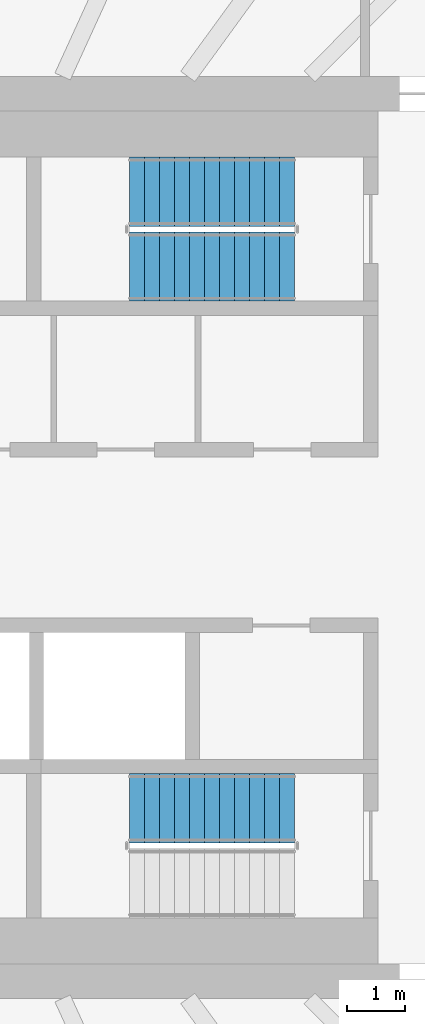
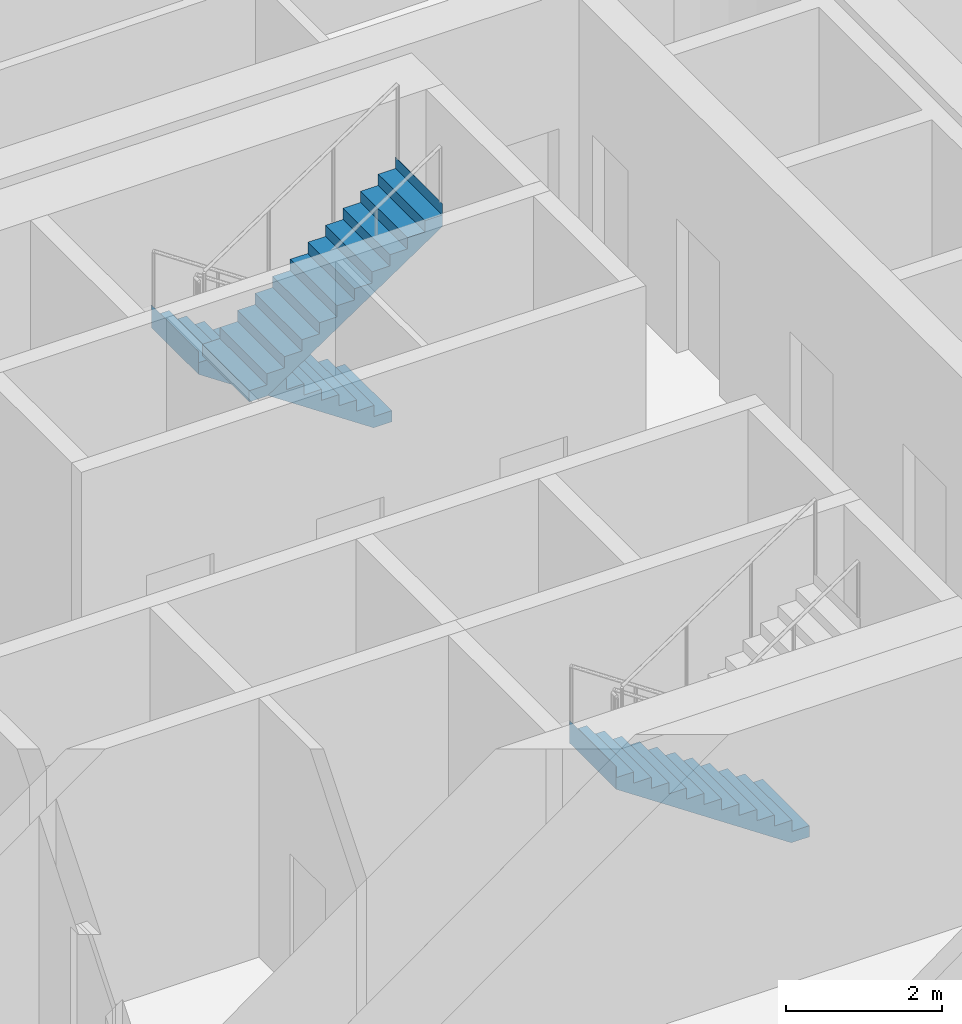
# One storey, part 18 of 24: 3 stair flights, 2 elements without a shape of their own.
"""IFC4 building model written with IfcOpenShell, lengths in metres."""

from ifc_helpers import new_model, si_unit, direction, frame, origin, place, context, subcontext, project, spatial, triangles, material, type_object, element, aggregate, save


model = new_model("IFC4")

# Units and contexts
model_context = context("Model", 3, precision=1e-05, world=origin(), true_north=direction((0.0, 1.0)))
body_context = subcontext(model_context, "Body", "Model", "MODEL_VIEW")
ifc_project = project(units=[si_unit("LENGTHUNIT", "METRE"), si_unit("AREAUNIT", "SQUARE_METRE"), si_unit("VOLUMEUNIT", "CUBIC_METRE"), si_unit("PLANEANGLEUNIT", "RADIAN"), si_unit("MASSUNIT", "GRAM", prefix="KILO")], contexts=[model_context])

# Site, building, storey
site_placement = place(None, origin())
site = spatial("IfcSite", under=ifc_project, at=site_placement, CompositionType="ELEMENT")
building_placement = place(site_placement, origin())
building = spatial("IfcBuilding", under=site, at=building_placement, Name="Sahrelin Media Tower", CompositionType="ELEMENT")
storey_placement = place(building_placement, frame((0.0, 0.0, 71.39990234375)))
storey = spatial("IfcBuildingStorey", under=building, at=storey_placement, Name="L12", CompositionType="ELEMENT", Elevation=71.39990234375)

# Stair, stair flights
ifc_material = material(Name="Concrete C40/50", Category="concrete")
stair_type = type_object("IfcStairType", Name="Exit stair 1200", PredefinedType="HALF_TURN_STAIR", material=ifc_material)
placement = place(storey_placement, origin())
stair_1 = element("IfcStair", 1, at=placement, inside=storey, type_object=stair_type, Name="L12 Exit stair ST3", PredefinedType="HALF_TURN_STAIR")
stair_flight_type = type_object("IfcStairFlightType", Name="Stair flight 1200", PredefinedType="STRAIGHT", material=ifc_material)
stair_flight_1_placement = place(storey_placement, frame((7.675048828125, 6.0, 0.0), z_axis=(0.0, 0.0, 1.0), x_axis=(-1.0, 0.0, 0.0)))
stair_flight_1 = element("IfcStairFlight", 2, at=stair_flight_1_placement, type_object=stair_flight_type, Name="ST3 flight 1", NumberOfRisers=12, NumberOfTreads=11, PredefinedType="STRAIGHT", RiserHeight=0.175, TreadLength=0.26, context=body_context, shape_type="Tessellation", body=[
    triangles([(0.2685546875, 0.60009765625, 0.0), (0.2685546875, 0.300048828125, 0.0), (0.2685546875, 0.0, 0.0), (0.2685546875, -0.300048828125, 0.0), (0.2685546875, -0.60009765625, 0.0), (2.860107421875, 0.60009765625, 1.744384765625), (2.860107421875, 0.300048828125, 1.744384765625), (2.860107421875, 0.0, 1.744384765625), (2.860107421875, -0.300048828125, 1.744384765625), (2.860107421875, -0.60009765625, 1.744384765625), (2.860107421875, 0.60009765625, 2.10009765625), (2.860107421875, 0.300048828125, 2.10009765625), (2.860107421875, 0.0, 2.10009765625), (2.860107421875, -0.300048828125, 2.10009765625), (2.860107421875, -0.60009765625, 2.10009765625), (2.85791015625, 0.60009765625, 2.10009765625), (2.85791015625, 0.300048828125, 2.10009765625), (2.85791015625, 0.0, 2.10009765625), (2.85791015625, -0.300048828125, 2.10009765625), (2.85791015625, -0.60009765625, 2.10009765625), (2.85791015625, 0.60009765625, 1.925048828125), (2.85791015625, 0.300048828125, 1.925048828125), (2.85791015625, 0.0, 1.925048828125), (2.85791015625, -0.300048828125, 1.925048828125), (2.85791015625, -0.60009765625, 1.925048828125), (2.60009765625, 0.60009765625, 1.925048828125), (2.60009765625, 0.300048828125, 1.925048828125), (2.60009765625, 0.0, 1.925048828125), (2.60009765625, -0.300048828125, 1.925048828125), (2.60009765625, -0.60009765625, 1.925048828125), (2.60009765625, 0.60009765625, 1.75), (2.60009765625, 0.300048828125, 1.75), (2.60009765625, 0.0, 1.75), (2.60009765625, -0.300048828125, 1.75), (2.60009765625, -0.60009765625, 1.75), (2.340087890625, 0.60009765625, 1.75), (2.340087890625, 0.300048828125, 1.75), (2.340087890625, 0.0, 1.75), (2.340087890625, -0.300048828125, 1.75), (2.340087890625, -0.60009765625, 1.75), (2.340087890625, 0.60009765625, 1.574951171875), (2.340087890625, 0.300048828125, 1.574951171875), (2.340087890625, 0.0, 1.574951171875), (2.340087890625, -0.300048828125, 1.574951171875), (2.340087890625, -0.60009765625, 1.574951171875), (2.080078125, 0.60009765625, 1.574951171875), (2.080078125, 0.300048828125, 1.574951171875), (2.080078125, 0.0, 1.574951171875), (2.080078125, -0.300048828125, 1.574951171875), (2.080078125, -0.60009765625, 1.574951171875), (2.080078125, 0.60009765625, 1.39990234375), (2.080078125, 0.300048828125, 1.39990234375), (2.080078125, 0.0, 1.39990234375), (2.080078125, -0.300048828125, 1.39990234375), (2.080078125, -0.60009765625, 1.39990234375), (1.820068359375, 0.60009765625, 1.39990234375), (1.820068359375, 0.300048828125, 1.39990234375), (1.820068359375, 0.0, 1.39990234375), (1.820068359375, -0.300048828125, 1.39990234375), (1.820068359375, -0.60009765625, 1.39990234375), (1.820068359375, 0.60009765625, 1.22509765625), (1.820068359375, 0.300048828125, 1.22509765625), (1.820068359375, 0.0, 1.22509765625), (1.820068359375, -0.300048828125, 1.22509765625), (1.820068359375, -0.60009765625, 1.22509765625), (1.56005859375, 0.60009765625, 1.22509765625), (1.56005859375, 0.300048828125, 1.22509765625), (1.56005859375, 0.0, 1.22509765625), (1.56005859375, -0.300048828125, 1.22509765625), (1.56005859375, -0.60009765625, 1.22509765625), (1.56005859375, 0.60009765625, 1.050048828125), (1.56005859375, 0.300048828125, 1.050048828125), (1.56005859375, 0.0, 1.050048828125), (1.56005859375, -0.300048828125, 1.050048828125), (1.56005859375, -0.60009765625, 1.050048828125), (1.300048828125, 0.60009765625, 1.050048828125), (1.300048828125, 0.300048828125, 1.050048828125), (1.300048828125, 0.0, 1.050048828125), (1.300048828125, -0.300048828125, 1.050048828125), (1.300048828125, -0.60009765625, 1.050048828125), (1.300048828125, 0.60009765625, 0.875), (1.300048828125, 0.300048828125, 0.875), (1.300048828125, 0.0, 0.875), (1.300048828125, -0.300048828125, 0.875), (1.300048828125, -0.60009765625, 0.875), (1.0400390625, 0.60009765625, 0.875), (1.0400390625, 0.300048828125, 0.875), (1.0400390625, 0.0, 0.875), (1.0400390625, -0.300048828125, 0.875), (1.0400390625, -0.60009765625, 0.875), (1.0400390625, 0.60009765625, 0.699951171875), (1.0400390625, 0.300048828125, 0.699951171875), (1.0400390625, 0.0, 0.699951171875), (1.0400390625, -0.300048828125, 0.699951171875), (1.0400390625, -0.60009765625, 0.699951171875), (0.780029296875, 0.60009765625, 0.699951171875), (0.780029296875, 0.300048828125, 0.699951171875), (0.780029296875, 0.0, 0.699951171875), (0.780029296875, -0.300048828125, 0.699951171875), (0.780029296875, -0.60009765625, 0.699951171875), (0.780029296875, 0.60009765625, 0.52490234375), (0.780029296875, 0.300048828125, 0.52490234375), (0.780029296875, 0.0, 0.52490234375), (0.780029296875, -0.300048828125, 0.52490234375), (0.780029296875, -0.60009765625, 0.52490234375), (0.52001953125, 0.60009765625, 0.52490234375), (0.52001953125, 0.300048828125, 0.52490234375), (0.52001953125, 0.0, 0.52490234375), (0.52001953125, -0.300048828125, 0.52490234375), (0.52001953125, -0.60009765625, 0.52490234375), (0.52001953125, 0.60009765625, 0.35009765625), (0.52001953125, 0.300048828125, 0.35009765625), (0.52001953125, 0.0, 0.35009765625), (0.52001953125, -0.300048828125, 0.35009765625), (0.52001953125, -0.60009765625, 0.35009765625), (0.260009765625, 0.60009765625, 0.35009765625), (0.260009765625, 0.300048828125, 0.35009765625), (0.260009765625, 0.0, 0.35009765625), (0.260009765625, -0.300048828125, 0.35009765625), (0.260009765625, -0.60009765625, 0.35009765625), (0.260009765625, 0.60009765625, 0.175048828125), (0.260009765625, 0.300048828125, 0.175048828125), (0.260009765625, 0.0, 0.175048828125), (0.260009765625, -0.300048828125, 0.175048828125), (0.260009765625, -0.60009765625, 0.175048828125), (0.0, 0.60009765625, 0.175048828125), (0.0, 0.300048828125, 0.175048828125), (0.0, 0.0, 0.175048828125), (0.0, -0.300048828125, 0.175048828125), (0.0, -0.60009765625, 0.175048828125), (0.0, 0.60009765625, 0.0), (0.0, 0.300048828125, 0.0), (0.0, 0.0, 0.0), (0.0, -0.300048828125, 0.0), (0.0, -0.60009765625, 0.0)], [[1, 6, 7], [1, 7, 2], [2, 7, 8], [2, 8, 3], [3, 8, 9], [3, 9, 4], [4, 9, 10], [4, 10, 5], [6, 11, 12], [6, 12, 7], [7, 12, 13], [7, 13, 8], [8, 13, 14], [8, 14, 9], [9, 14, 15], [9, 15, 10], [11, 16, 17], [11, 17, 12], [12, 17, 18], [12, 18, 13], [13, 18, 19], [13, 19, 14], [14, 19, 20], [14, 20, 15], [16, 21, 22], [16, 22, 17], [17, 22, 23], [17, 23, 18], [18, 23, 24], [18, 24, 19], [19, 24, 25], [19, 25, 20], [21, 26, 27], [21, 27, 22], [22, 27, 28], [22, 28, 23], [23, 28, 29], [23, 29, 24], [24, 29, 30], [24, 30, 25], [26, 31, 32], [26, 32, 27], [27, 32, 33], [27, 33, 28], [28, 33, 34], [28, 34, 29], [29, 34, 35], [29, 35, 30], [31, 36, 37], [31, 37, 32], [32, 37, 38], [32, 38, 33], [33, 38, 39], [33, 39, 34], [34, 39, 40], [34, 40, 35], [36, 41, 42], [36, 42, 37], [37, 42, 43], [37, 43, 38], [38, 43, 44], [38, 44, 39], [39, 44, 45], [39, 45, 40], [41, 46, 47], [41, 47, 42], [42, 47, 48], [42, 48, 43], [43, 48, 49], [43, 49, 44], [44, 49, 50], [44, 50, 45], [46, 51, 52], [46, 52, 47], [47, 52, 53], [47, 53, 48], [48, 53, 54], [48, 54, 49], [49, 54, 55], [49, 55, 50], [51, 56, 57], [51, 57, 52], [52, 57, 58], [52, 58, 53], [53, 58, 59], [53, 59, 54], [54, 59, 60], [54, 60, 55], [56, 61, 62], [56, 62, 57], [57, 62, 63], [57, 63, 58], [58, 63, 64], [58, 64, 59], [59, 64, 65], [59, 65, 60], [61, 66, 67], [61, 67, 62], [62, 67, 68], [62, 68, 63], [63, 68, 69], [63, 69, 64], [64, 69, 70], [64, 70, 65], [66, 71, 72], [66, 72, 67], [67, 72, 73], [67, 73, 68], [68, 73, 74], [68, 74, 69], [69, 74, 75], [69, 75, 70], [71, 76, 77], [71, 77, 72], [72, 77, 78], [72, 78, 73], [73, 78, 79], [73, 79, 74], [74, 79, 80], [74, 80, 75], [76, 81, 82], [76, 82, 77], [77, 82, 83], [77, 83, 78], [78, 83, 84], [78, 84, 79], [79, 84, 85], [79, 85, 80], [81, 86, 87], [81, 87, 82], [82, 87, 88], [82, 88, 83], [83, 88, 89], [83, 89, 84], [84, 89, 90], [84, 90, 85], [86, 91, 92], [86, 92, 87], [87, 92, 93], [87, 93, 88], [88, 93, 94], [88, 94, 89], [89, 94, 95], [89, 95, 90], [91, 96, 97], [91, 97, 92], [92, 97, 98], [92, 98, 93], [93, 98, 99], [93, 99, 94], [94, 99, 100], [94, 100, 95], [96, 101, 102], [96, 102, 97], [97, 102, 103], [97, 103, 98], [98, 103, 104], [98, 104, 99], [99, 104, 105], [99, 105, 100], [101, 106, 107], [101, 107, 102], [102, 107, 108], [102, 108, 103], [103, 108, 109], [103, 109, 104], [104, 109, 110], [104, 110, 105], [106, 111, 112], [106, 112, 107], [107, 112, 113], [107, 113, 108], [108, 113, 114], [108, 114, 109], [109, 114, 115], [109, 115, 110], [111, 116, 117], [111, 117, 112], [112, 117, 118], [112, 118, 113], [113, 118, 119], [113, 119, 114], [114, 119, 120], [114, 120, 115], [116, 121, 122], [116, 122, 117], [117, 122, 123], [117, 123, 118], [118, 123, 124], [118, 124, 119], [119, 124, 125], [119, 125, 120], [121, 126, 127], [121, 127, 122], [122, 127, 128], [122, 128, 123], [123, 128, 129], [123, 129, 124], [124, 129, 130], [124, 130, 125], [126, 131, 132], [126, 132, 127], [127, 132, 133], [127, 133, 128], [128, 133, 134], [128, 134, 129], [129, 134, 135], [129, 135, 130], [131, 1, 2], [131, 2, 132], [132, 2, 3], [132, 3, 133], [133, 3, 4], [133, 4, 134], [134, 4, 5], [134, 5, 135], [125, 130, 135], [121, 131, 126], [125, 115, 120], [121, 116, 111], [115, 105, 110], [111, 106, 101], [105, 95, 100], [101, 96, 91], [95, 85, 90], [91, 86, 81], [85, 75, 80], [81, 76, 71], [75, 65, 70], [71, 66, 61], [65, 55, 60], [61, 56, 51], [55, 45, 50], [51, 46, 41], [45, 35, 40], [41, 36, 31], [35, 25, 30], [31, 26, 21], [25, 15, 20], [21, 16, 11], [135, 5, 125], [131, 121, 1], [95, 105, 5], [91, 1, 101], [5, 10, 75], [1, 71, 6], [10, 35, 45], [6, 41, 31], [25, 10, 15], [21, 11, 6], [115, 125, 5], [111, 1, 121], [75, 85, 5], [71, 1, 81], [35, 10, 25], [31, 21, 6], [105, 115, 5], [101, 1, 111], [45, 55, 10], [41, 6, 51], [85, 95, 5], [81, 1, 91], [65, 10, 55], [61, 51, 6], [10, 65, 75], [6, 71, 61]], closed=True),
])
stair_flight_2_placement = place(storey_placement, frame((4.81494140625, 4.699951171875, 2.10009765625), z_axis=(0.0, 0.0, 1.0), x_axis=(1.0, 0.0, 0.0)))
stair_flight_2 = element("IfcStairFlight", 3, at=stair_flight_2_placement, type_object=stair_flight_type, Name="ST3 flight 2", NumberOfRisers=12, NumberOfTreads=11, PredefinedType="STRAIGHT", RiserHeight=0.175, TreadLength=0.26, context=body_context, shape_type="Tessellation", body=[
    triangles([(0.2685546875, 0.60009765625, 0.0), (0.2685546875, 0.300048828125, 0.0), (0.2685546875, 0.0, 0.0), (0.2685546875, -0.300048828125, 0.0), (0.2685546875, -0.60009765625, 0.0), (2.860107421875, 0.60009765625, 1.744384765625), (2.860107421875, 0.300048828125, 1.744384765625), (2.860107421875, 0.0, 1.744384765625), (2.860107421875, -0.300048828125, 1.744384765625), (2.860107421875, -0.60009765625, 1.744384765625), (2.860107421875, 0.60009765625, 2.10009765625), (2.860107421875, 0.300048828125, 2.10009765625), (2.860107421875, 0.0, 2.10009765625), (2.860107421875, -0.300048828125, 2.10009765625), (2.860107421875, -0.60009765625, 2.10009765625), (2.85791015625, 0.60009765625, 2.10009765625), (2.85791015625, 0.300048828125, 2.10009765625), (2.85791015625, 0.0, 2.10009765625), (2.85791015625, -0.300048828125, 2.10009765625), (2.85791015625, -0.60009765625, 2.10009765625), (2.85791015625, 0.60009765625, 1.925048828125), (2.85791015625, 0.300048828125, 1.925048828125), (2.85791015625, 0.0, 1.925048828125), (2.85791015625, -0.300048828125, 1.925048828125), (2.85791015625, -0.60009765625, 1.925048828125), (2.60009765625, 0.60009765625, 1.925048828125), (2.60009765625, 0.300048828125, 1.925048828125), (2.60009765625, 0.0, 1.925048828125), (2.60009765625, -0.300048828125, 1.925048828125), (2.60009765625, -0.60009765625, 1.925048828125), (2.60009765625, 0.60009765625, 1.75), (2.60009765625, 0.300048828125, 1.75), (2.60009765625, 0.0, 1.75), (2.60009765625, -0.300048828125, 1.75), (2.60009765625, -0.60009765625, 1.75), (2.340087890625, 0.60009765625, 1.75), (2.340087890625, 0.300048828125, 1.75), (2.340087890625, 0.0, 1.75), (2.340087890625, -0.300048828125, 1.75), (2.340087890625, -0.60009765625, 1.75), (2.340087890625, 0.60009765625, 1.574951171875), (2.340087890625, 0.300048828125, 1.574951171875), (2.340087890625, 0.0, 1.574951171875), (2.340087890625, -0.300048828125, 1.574951171875), (2.340087890625, -0.60009765625, 1.574951171875), (2.080078125, 0.60009765625, 1.574951171875), (2.080078125, 0.300048828125, 1.574951171875), (2.080078125, 0.0, 1.574951171875), (2.080078125, -0.300048828125, 1.574951171875), (2.080078125, -0.60009765625, 1.574951171875), (2.080078125, 0.60009765625, 1.39990234375), (2.080078125, 0.300048828125, 1.39990234375), (2.080078125, 0.0, 1.39990234375), (2.080078125, -0.300048828125, 1.39990234375), (2.080078125, -0.60009765625, 1.39990234375), (1.820068359375, 0.60009765625, 1.39990234375), (1.820068359375, 0.300048828125, 1.39990234375), (1.820068359375, 0.0, 1.39990234375), (1.820068359375, -0.300048828125, 1.39990234375), (1.820068359375, -0.60009765625, 1.39990234375), (1.820068359375, 0.60009765625, 1.22509765625), (1.820068359375, 0.300048828125, 1.22509765625), (1.820068359375, 0.0, 1.22509765625), (1.820068359375, -0.300048828125, 1.22509765625), (1.820068359375, -0.60009765625, 1.22509765625), (1.56005859375, 0.60009765625, 1.22509765625), (1.56005859375, 0.300048828125, 1.22509765625), (1.56005859375, 0.0, 1.22509765625), (1.56005859375, -0.300048828125, 1.22509765625), (1.56005859375, -0.60009765625, 1.22509765625), (1.56005859375, 0.60009765625, 1.050048828125), (1.56005859375, 0.300048828125, 1.050048828125), (1.56005859375, 0.0, 1.050048828125), (1.56005859375, -0.300048828125, 1.050048828125), (1.56005859375, -0.60009765625, 1.050048828125), (1.300048828125, 0.60009765625, 1.050048828125), (1.300048828125, 0.300048828125, 1.050048828125), (1.300048828125, 0.0, 1.050048828125), (1.300048828125, -0.300048828125, 1.050048828125), (1.300048828125, -0.60009765625, 1.050048828125), (1.300048828125, 0.60009765625, 0.875), (1.300048828125, 0.300048828125, 0.875), (1.300048828125, 0.0, 0.875), (1.300048828125, -0.300048828125, 0.875), (1.300048828125, -0.60009765625, 0.875), (1.0400390625, 0.60009765625, 0.875), (1.0400390625, 0.300048828125, 0.875), (1.0400390625, 0.0, 0.875), (1.0400390625, -0.300048828125, 0.875), (1.0400390625, -0.60009765625, 0.875), (1.0400390625, 0.60009765625, 0.699951171875), (1.0400390625, 0.300048828125, 0.699951171875), (1.0400390625, 0.0, 0.699951171875), (1.0400390625, -0.300048828125, 0.699951171875), (1.0400390625, -0.60009765625, 0.699951171875), (0.780029296875, 0.60009765625, 0.699951171875), (0.780029296875, 0.300048828125, 0.699951171875), (0.780029296875, 0.0, 0.699951171875), (0.780029296875, -0.300048828125, 0.699951171875), (0.780029296875, -0.60009765625, 0.699951171875), (0.780029296875, 0.60009765625, 0.52490234375), (0.780029296875, 0.300048828125, 0.52490234375), (0.780029296875, 0.0, 0.52490234375), (0.780029296875, -0.300048828125, 0.52490234375), (0.780029296875, -0.60009765625, 0.52490234375), (0.52001953125, 0.60009765625, 0.52490234375), (0.52001953125, 0.300048828125, 0.52490234375), (0.52001953125, 0.0, 0.52490234375), (0.52001953125, -0.300048828125, 0.52490234375), (0.52001953125, -0.60009765625, 0.52490234375), (0.52001953125, 0.60009765625, 0.35009765625), (0.52001953125, 0.300048828125, 0.35009765625), (0.52001953125, 0.0, 0.35009765625), (0.52001953125, -0.300048828125, 0.35009765625), (0.52001953125, -0.60009765625, 0.35009765625), (0.260009765625, 0.60009765625, 0.35009765625), (0.260009765625, 0.300048828125, 0.35009765625), (0.260009765625, 0.0, 0.35009765625), (0.260009765625, -0.300048828125, 0.35009765625), (0.260009765625, -0.60009765625, 0.35009765625), (0.260009765625, 0.60009765625, 0.175048828125), (0.260009765625, 0.300048828125, 0.175048828125), (0.260009765625, 0.0, 0.175048828125), (0.260009765625, -0.300048828125, 0.175048828125), (0.260009765625, -0.60009765625, 0.175048828125), (0.0, 0.60009765625, 0.175048828125), (0.0, 0.300048828125, 0.175048828125), (0.0, 0.0, 0.175048828125), (0.0, -0.300048828125, 0.175048828125), (0.0, -0.60009765625, 0.175048828125), (0.0, 0.60009765625, 0.0), (0.0, 0.300048828125, 0.0), (0.0, 0.0, 0.0), (0.0, -0.300048828125, 0.0), (0.0, -0.60009765625, 0.0)], [[1, 6, 7], [1, 7, 2], [2, 7, 8], [2, 8, 3], [3, 8, 9], [3, 9, 4], [4, 9, 10], [4, 10, 5], [6, 11, 12], [6, 12, 7], [7, 12, 13], [7, 13, 8], [8, 13, 14], [8, 14, 9], [9, 14, 15], [9, 15, 10], [11, 16, 17], [11, 17, 12], [12, 17, 18], [12, 18, 13], [13, 18, 19], [13, 19, 14], [14, 19, 20], [14, 20, 15], [16, 21, 22], [16, 22, 17], [17, 22, 23], [17, 23, 18], [18, 23, 24], [18, 24, 19], [19, 24, 25], [19, 25, 20], [21, 26, 27], [21, 27, 22], [22, 27, 28], [22, 28, 23], [23, 28, 29], [23, 29, 24], [24, 29, 30], [24, 30, 25], [26, 31, 32], [26, 32, 27], [27, 32, 33], [27, 33, 28], [28, 33, 34], [28, 34, 29], [29, 34, 35], [29, 35, 30], [31, 36, 37], [31, 37, 32], [32, 37, 38], [32, 38, 33], [33, 38, 39], [33, 39, 34], [34, 39, 40], [34, 40, 35], [36, 41, 42], [36, 42, 37], [37, 42, 43], [37, 43, 38], [38, 43, 44], [38, 44, 39], [39, 44, 45], [39, 45, 40], [41, 46, 47], [41, 47, 42], [42, 47, 48], [42, 48, 43], [43, 48, 49], [43, 49, 44], [44, 49, 50], [44, 50, 45], [46, 51, 52], [46, 52, 47], [47, 52, 53], [47, 53, 48], [48, 53, 54], [48, 54, 49], [49, 54, 55], [49, 55, 50], [51, 56, 57], [51, 57, 52], [52, 57, 58], [52, 58, 53], [53, 58, 59], [53, 59, 54], [54, 59, 60], [54, 60, 55], [56, 61, 62], [56, 62, 57], [57, 62, 63], [57, 63, 58], [58, 63, 64], [58, 64, 59], [59, 64, 65], [59, 65, 60], [61, 66, 67], [61, 67, 62], [62, 67, 68], [62, 68, 63], [63, 68, 69], [63, 69, 64], [64, 69, 70], [64, 70, 65], [66, 71, 72], [66, 72, 67], [67, 72, 73], [67, 73, 68], [68, 73, 74], [68, 74, 69], [69, 74, 75], [69, 75, 70], [71, 76, 77], [71, 77, 72], [72, 77, 78], [72, 78, 73], [73, 78, 79], [73, 79, 74], [74, 79, 80], [74, 80, 75], [76, 81, 82], [76, 82, 77], [77, 82, 83], [77, 83, 78], [78, 83, 84], [78, 84, 79], [79, 84, 85], [79, 85, 80], [81, 86, 87], [81, 87, 82], [82, 87, 88], [82, 88, 83], [83, 88, 89], [83, 89, 84], [84, 89, 90], [84, 90, 85], [86, 91, 92], [86, 92, 87], [87, 92, 93], [87, 93, 88], [88, 93, 94], [88, 94, 89], [89, 94, 95], [89, 95, 90], [91, 96, 97], [91, 97, 92], [92, 97, 98], [92, 98, 93], [93, 98, 99], [93, 99, 94], [94, 99, 100], [94, 100, 95], [96, 101, 102], [96, 102, 97], [97, 102, 103], [97, 103, 98], [98, 103, 104], [98, 104, 99], [99, 104, 105], [99, 105, 100], [101, 106, 107], [101, 107, 102], [102, 107, 108], [102, 108, 103], [103, 108, 109], [103, 109, 104], [104, 109, 110], [104, 110, 105], [106, 111, 112], [106, 112, 107], [107, 112, 113], [107, 113, 108], [108, 113, 114], [108, 114, 109], [109, 114, 115], [109, 115, 110], [111, 116, 117], [111, 117, 112], [112, 117, 118], [112, 118, 113], [113, 118, 119], [113, 119, 114], [114, 119, 120], [114, 120, 115], [116, 121, 122], [116, 122, 117], [117, 122, 123], [117, 123, 118], [118, 123, 124], [118, 124, 119], [119, 124, 125], [119, 125, 120], [121, 126, 127], [121, 127, 122], [122, 127, 128], [122, 128, 123], [123, 128, 129], [123, 129, 124], [124, 129, 130], [124, 130, 125], [126, 131, 132], [126, 132, 127], [127, 132, 133], [127, 133, 128], [128, 133, 134], [128, 134, 129], [129, 134, 135], [129, 135, 130], [131, 1, 2], [131, 2, 132], [132, 2, 3], [132, 3, 133], [133, 3, 4], [133, 4, 134], [134, 4, 5], [134, 5, 135], [125, 130, 135], [121, 131, 126], [125, 115, 120], [121, 116, 111], [115, 105, 110], [111, 106, 101], [105, 95, 100], [101, 96, 91], [95, 85, 90], [91, 86, 81], [85, 75, 80], [81, 76, 71], [75, 65, 70], [71, 66, 61], [65, 55, 60], [61, 56, 51], [55, 45, 50], [51, 46, 41], [45, 35, 40], [41, 36, 31], [35, 25, 30], [31, 26, 21], [25, 15, 20], [21, 16, 11], [135, 5, 125], [131, 121, 1], [95, 105, 5], [91, 1, 101], [5, 10, 75], [1, 71, 6], [10, 35, 45], [6, 41, 31], [25, 10, 15], [21, 11, 6], [115, 125, 5], [111, 1, 121], [75, 85, 5], [71, 1, 81], [35, 10, 25], [31, 21, 6], [105, 115, 5], [101, 1, 111], [45, 55, 10], [41, 6, 51], [85, 95, 5], [81, 1, 91], [65, 10, 55], [61, 51, 6], [10, 65, 75], [6, 71, 61]], closed=True),
])
aggregate(stair_1, [stair_flight_1, stair_flight_2])

# Stair, stair flight
stair_2 = element("IfcStair", 4, at=placement, inside=storey, type_object=stair_type, Name="L12 Exit stair ST2", PredefinedType="HALF_TURN_STAIR")
stair_flight_3_placement = place(storey_placement, frame((7.675048828125, -4.699951171875, 0.0), z_axis=(0.0, 0.0, 1.0), x_axis=(-1.0, 0.0, 0.0)))
stair_flight_3 = element("IfcStairFlight", 5, at=stair_flight_3_placement, type_object=stair_flight_type, Name="ST2 flight 1", NumberOfRisers=12, NumberOfTreads=11, PredefinedType="STRAIGHT", RiserHeight=0.175, TreadLength=0.26, context=body_context, shape_type="Tessellation", body=[
    triangles([(0.2685546875, 0.60009765625, 0.0), (0.2685546875, 0.300048828125, 0.0), (0.2685546875, 0.0, 0.0), (0.2685546875, -0.300048828125, 0.0), (0.2685546875, -0.60009765625, 0.0), (2.860107421875, 0.60009765625, 1.744384765625), (2.860107421875, 0.300048828125, 1.744384765625), (2.860107421875, 0.0, 1.744384765625), (2.860107421875, -0.300048828125, 1.744384765625), (2.860107421875, -0.60009765625, 1.744384765625), (2.860107421875, 0.60009765625, 2.10009765625), (2.860107421875, 0.300048828125, 2.10009765625), (2.860107421875, 0.0, 2.10009765625), (2.860107421875, -0.300048828125, 2.10009765625), (2.860107421875, -0.60009765625, 2.10009765625), (2.85791015625, 0.60009765625, 2.10009765625), (2.85791015625, 0.300048828125, 2.10009765625), (2.85791015625, 0.0, 2.10009765625), (2.85791015625, -0.300048828125, 2.10009765625), (2.85791015625, -0.60009765625, 2.10009765625), (2.85791015625, 0.60009765625, 1.925048828125), (2.85791015625, 0.300048828125, 1.925048828125), (2.85791015625, 0.0, 1.925048828125), (2.85791015625, -0.300048828125, 1.925048828125), (2.85791015625, -0.60009765625, 1.925048828125), (2.60009765625, 0.60009765625, 1.925048828125), (2.60009765625, 0.300048828125, 1.925048828125), (2.60009765625, 0.0, 1.925048828125), (2.60009765625, -0.300048828125, 1.925048828125), (2.60009765625, -0.60009765625, 1.925048828125), (2.60009765625, 0.60009765625, 1.75), (2.60009765625, 0.300048828125, 1.75), (2.60009765625, 0.0, 1.75), (2.60009765625, -0.300048828125, 1.75), (2.60009765625, -0.60009765625, 1.75), (2.340087890625, 0.60009765625, 1.75), (2.340087890625, 0.300048828125, 1.75), (2.340087890625, 0.0, 1.75), (2.340087890625, -0.300048828125, 1.75), (2.340087890625, -0.60009765625, 1.75), (2.340087890625, 0.60009765625, 1.574951171875), (2.340087890625, 0.300048828125, 1.574951171875), (2.340087890625, 0.0, 1.574951171875), (2.340087890625, -0.300048828125, 1.574951171875), (2.340087890625, -0.60009765625, 1.574951171875), (2.080078125, 0.60009765625, 1.574951171875), (2.080078125, 0.300048828125, 1.574951171875), (2.080078125, 0.0, 1.574951171875), (2.080078125, -0.300048828125, 1.574951171875), (2.080078125, -0.60009765625, 1.574951171875), (2.080078125, 0.60009765625, 1.39990234375), (2.080078125, 0.300048828125, 1.39990234375), (2.080078125, 0.0, 1.39990234375), (2.080078125, -0.300048828125, 1.39990234375), (2.080078125, -0.60009765625, 1.39990234375), (1.820068359375, 0.60009765625, 1.39990234375), (1.820068359375, 0.300048828125, 1.39990234375), (1.820068359375, 0.0, 1.39990234375), (1.820068359375, -0.300048828125, 1.39990234375), (1.820068359375, -0.60009765625, 1.39990234375), (1.820068359375, 0.60009765625, 1.22509765625), (1.820068359375, 0.300048828125, 1.22509765625), (1.820068359375, 0.0, 1.22509765625), (1.820068359375, -0.300048828125, 1.22509765625), (1.820068359375, -0.60009765625, 1.22509765625), (1.56005859375, 0.60009765625, 1.22509765625), (1.56005859375, 0.300048828125, 1.22509765625), (1.56005859375, 0.0, 1.22509765625), (1.56005859375, -0.300048828125, 1.22509765625), (1.56005859375, -0.60009765625, 1.22509765625), (1.56005859375, 0.60009765625, 1.050048828125), (1.56005859375, 0.300048828125, 1.050048828125), (1.56005859375, 0.0, 1.050048828125), (1.56005859375, -0.300048828125, 1.050048828125), (1.56005859375, -0.60009765625, 1.050048828125), (1.300048828125, 0.60009765625, 1.050048828125), (1.300048828125, 0.300048828125, 1.050048828125), (1.300048828125, 0.0, 1.050048828125), (1.300048828125, -0.300048828125, 1.050048828125), (1.300048828125, -0.60009765625, 1.050048828125), (1.300048828125, 0.60009765625, 0.875), (1.300048828125, 0.300048828125, 0.875), (1.300048828125, 0.0, 0.875), (1.300048828125, -0.300048828125, 0.875), (1.300048828125, -0.60009765625, 0.875), (1.0400390625, 0.60009765625, 0.875), (1.0400390625, 0.300048828125, 0.875), (1.0400390625, 0.0, 0.875), (1.0400390625, -0.300048828125, 0.875), (1.0400390625, -0.60009765625, 0.875), (1.0400390625, 0.60009765625, 0.699951171875), (1.0400390625, 0.300048828125, 0.699951171875), (1.0400390625, 0.0, 0.699951171875), (1.0400390625, -0.300048828125, 0.699951171875), (1.0400390625, -0.60009765625, 0.699951171875), (0.780029296875, 0.60009765625, 0.699951171875), (0.780029296875, 0.300048828125, 0.699951171875), (0.780029296875, 0.0, 0.699951171875), (0.780029296875, -0.300048828125, 0.699951171875), (0.780029296875, -0.60009765625, 0.699951171875), (0.780029296875, 0.60009765625, 0.52490234375), (0.780029296875, 0.300048828125, 0.52490234375), (0.780029296875, 0.0, 0.52490234375), (0.780029296875, -0.300048828125, 0.52490234375), (0.780029296875, -0.60009765625, 0.52490234375), (0.52001953125, 0.60009765625, 0.52490234375), (0.52001953125, 0.300048828125, 0.52490234375), (0.52001953125, 0.0, 0.52490234375), (0.52001953125, -0.300048828125, 0.52490234375), (0.52001953125, -0.60009765625, 0.52490234375), (0.52001953125, 0.60009765625, 0.35009765625), (0.52001953125, 0.300048828125, 0.35009765625), (0.52001953125, 0.0, 0.35009765625), (0.52001953125, -0.300048828125, 0.35009765625), (0.52001953125, -0.60009765625, 0.35009765625), (0.260009765625, 0.60009765625, 0.35009765625), (0.260009765625, 0.300048828125, 0.35009765625), (0.260009765625, 0.0, 0.35009765625), (0.260009765625, -0.300048828125, 0.35009765625), (0.260009765625, -0.60009765625, 0.35009765625), (0.260009765625, 0.60009765625, 0.175048828125), (0.260009765625, 0.300048828125, 0.175048828125), (0.260009765625, 0.0, 0.175048828125), (0.260009765625, -0.300048828125, 0.175048828125), (0.260009765625, -0.60009765625, 0.175048828125), (0.0, 0.60009765625, 0.175048828125), (0.0, 0.300048828125, 0.175048828125), (0.0, 0.0, 0.175048828125), (0.0, -0.300048828125, 0.175048828125), (0.0, -0.60009765625, 0.175048828125), (0.0, 0.60009765625, 0.0), (0.0, 0.300048828125, 0.0), (0.0, 0.0, 0.0), (0.0, -0.300048828125, 0.0), (0.0, -0.60009765625, 0.0)], [[1, 6, 7], [1, 7, 2], [2, 7, 8], [2, 8, 3], [3, 8, 9], [3, 9, 4], [4, 9, 10], [4, 10, 5], [6, 11, 12], [6, 12, 7], [7, 12, 13], [7, 13, 8], [8, 13, 14], [8, 14, 9], [9, 14, 15], [9, 15, 10], [11, 16, 17], [11, 17, 12], [12, 17, 18], [12, 18, 13], [13, 18, 19], [13, 19, 14], [14, 19, 20], [14, 20, 15], [16, 21, 22], [16, 22, 17], [17, 22, 23], [17, 23, 18], [18, 23, 24], [18, 24, 19], [19, 24, 25], [19, 25, 20], [21, 26, 27], [21, 27, 22], [22, 27, 28], [22, 28, 23], [23, 28, 29], [23, 29, 24], [24, 29, 30], [24, 30, 25], [26, 31, 32], [26, 32, 27], [27, 32, 33], [27, 33, 28], [28, 33, 34], [28, 34, 29], [29, 34, 35], [29, 35, 30], [31, 36, 37], [31, 37, 32], [32, 37, 38], [32, 38, 33], [33, 38, 39], [33, 39, 34], [34, 39, 40], [34, 40, 35], [36, 41, 42], [36, 42, 37], [37, 42, 43], [37, 43, 38], [38, 43, 44], [38, 44, 39], [39, 44, 45], [39, 45, 40], [41, 46, 47], [41, 47, 42], [42, 47, 48], [42, 48, 43], [43, 48, 49], [43, 49, 44], [44, 49, 50], [44, 50, 45], [46, 51, 52], [46, 52, 47], [47, 52, 53], [47, 53, 48], [48, 53, 54], [48, 54, 49], [49, 54, 55], [49, 55, 50], [51, 56, 57], [51, 57, 52], [52, 57, 58], [52, 58, 53], [53, 58, 59], [53, 59, 54], [54, 59, 60], [54, 60, 55], [56, 61, 62], [56, 62, 57], [57, 62, 63], [57, 63, 58], [58, 63, 64], [58, 64, 59], [59, 64, 65], [59, 65, 60], [61, 66, 67], [61, 67, 62], [62, 67, 68], [62, 68, 63], [63, 68, 69], [63, 69, 64], [64, 69, 70], [64, 70, 65], [66, 71, 72], [66, 72, 67], [67, 72, 73], [67, 73, 68], [68, 73, 74], [68, 74, 69], [69, 74, 75], [69, 75, 70], [71, 76, 77], [71, 77, 72], [72, 77, 78], [72, 78, 73], [73, 78, 79], [73, 79, 74], [74, 79, 80], [74, 80, 75], [76, 81, 82], [76, 82, 77], [77, 82, 83], [77, 83, 78], [78, 83, 84], [78, 84, 79], [79, 84, 85], [79, 85, 80], [81, 86, 87], [81, 87, 82], [82, 87, 88], [82, 88, 83], [83, 88, 89], [83, 89, 84], [84, 89, 90], [84, 90, 85], [86, 91, 92], [86, 92, 87], [87, 92, 93], [87, 93, 88], [88, 93, 94], [88, 94, 89], [89, 94, 95], [89, 95, 90], [91, 96, 97], [91, 97, 92], [92, 97, 98], [92, 98, 93], [93, 98, 99], [93, 99, 94], [94, 99, 100], [94, 100, 95], [96, 101, 102], [96, 102, 97], [97, 102, 103], [97, 103, 98], [98, 103, 104], [98, 104, 99], [99, 104, 105], [99, 105, 100], [101, 106, 107], [101, 107, 102], [102, 107, 108], [102, 108, 103], [103, 108, 109], [103, 109, 104], [104, 109, 110], [104, 110, 105], [106, 111, 112], [106, 112, 107], [107, 112, 113], [107, 113, 108], [108, 113, 114], [108, 114, 109], [109, 114, 115], [109, 115, 110], [111, 116, 117], [111, 117, 112], [112, 117, 118], [112, 118, 113], [113, 118, 119], [113, 119, 114], [114, 119, 120], [114, 120, 115], [116, 121, 122], [116, 122, 117], [117, 122, 123], [117, 123, 118], [118, 123, 124], [118, 124, 119], [119, 124, 125], [119, 125, 120], [121, 126, 127], [121, 127, 122], [122, 127, 128], [122, 128, 123], [123, 128, 129], [123, 129, 124], [124, 129, 130], [124, 130, 125], [126, 131, 132], [126, 132, 127], [127, 132, 133], [127, 133, 128], [128, 133, 134], [128, 134, 129], [129, 134, 135], [129, 135, 130], [131, 1, 2], [131, 2, 132], [132, 2, 3], [132, 3, 133], [133, 3, 4], [133, 4, 134], [134, 4, 5], [134, 5, 135], [125, 130, 135], [121, 131, 126], [125, 115, 120], [121, 116, 111], [115, 105, 110], [111, 106, 101], [105, 95, 100], [101, 96, 91], [95, 85, 90], [91, 86, 81], [85, 75, 80], [81, 76, 71], [75, 65, 70], [71, 66, 61], [65, 55, 60], [61, 56, 51], [55, 45, 50], [51, 46, 41], [45, 35, 40], [41, 36, 31], [35, 25, 30], [31, 26, 21], [25, 15, 20], [21, 16, 11], [135, 5, 125], [131, 121, 1], [95, 105, 5], [91, 1, 101], [5, 10, 75], [1, 71, 6], [10, 35, 45], [6, 41, 31], [25, 10, 15], [21, 11, 6], [115, 125, 5], [111, 1, 121], [75, 85, 5], [71, 1, 81], [35, 10, 25], [31, 21, 6], [105, 115, 5], [101, 1, 111], [45, 55, 10], [41, 6, 51], [85, 95, 5], [81, 1, 91], [65, 10, 55], [61, 51, 6], [10, 65, 75], [6, 71, 61]], closed=True),
])
aggregate(stair_2, [stair_flight_3])

save(model, "model.ifc")
